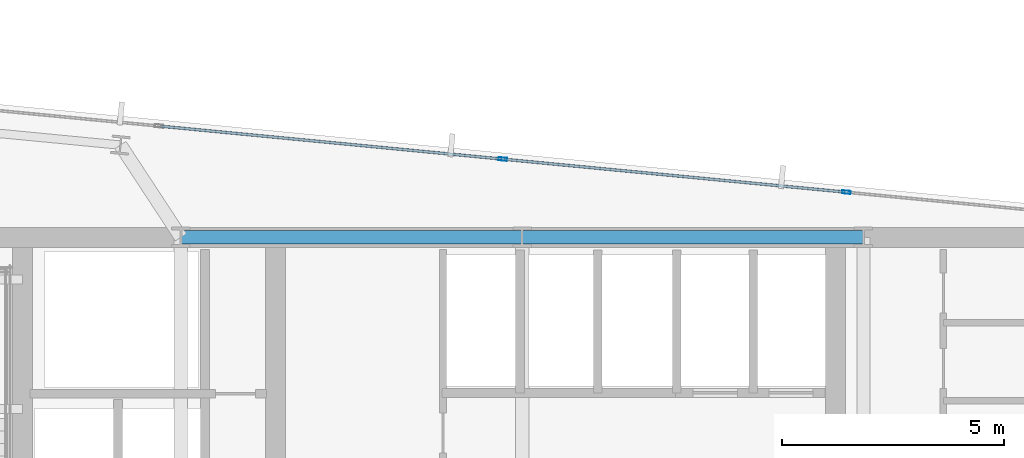
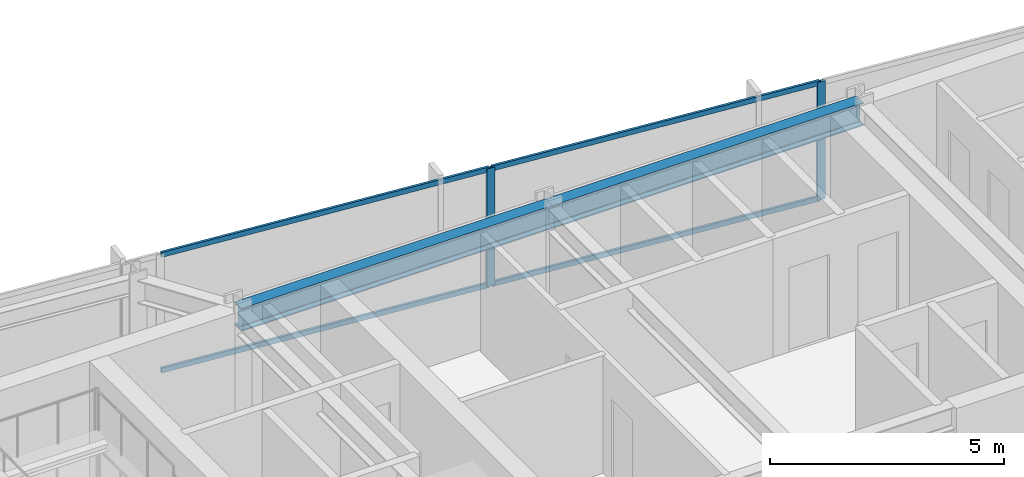
# One storey, part 26 of 38: 6 members, 2 beams, 1 element without a shape of its own.
"""IFC4 building model written with IfcOpenShell, lengths in metres."""

import ifcopenshell
import ifcopenshell.guid

model = None  # the IFC model being written
_history = None  # IfcOwnerHistory: only IFC2X3 demands one
_inside = {}  # id of a spatial element -> (the spatial element, [elements in it])
_under = {}  # id of a project, library or spatial element -> (it, [spatial elements below it])
_declared = {}  # id of a project -> (the project, [libraries it declares])
_typed = {}  # id of a type object -> (the type object, [elements of that type])
_made_of = {}  # id of a material, layer set ... -> (it, [elements and type objects made of it])


def new_model(schema):
    """Start an empty IFC model of exactly this schema.

    Asked for "IFC4X3", IfcOpenShell would pick the latest addendum, in which some entities
    have other attributes; the version numbers below select the first issue.
    IFC2X3 requires an IfcOwnerHistory on every rooted entity: one is made here for all.
    """
    global model, _history
    if schema == "IFC4X3":
        model = ifcopenshell.file(schema_version=(4, 3, 0, 0))
    else:
        model = ifcopenshell.file(schema=schema)
    _inside.clear()
    _under.clear()
    _declared.clear()
    _typed.clear()
    _made_of.clear()
    _history = None
    if model.schema == "IFC2X3":
        org = make("IfcOrganization", Name="unknown")
        user = make(
            "IfcPersonAndOrganization",
            ThePerson=make("IfcPerson", FamilyName="unknown"),
            TheOrganization=org,
        )
        app = make(
            "IfcApplication",
            ApplicationDeveloper=org,
            Version="unknown",
            ApplicationFullName="unknown",
            ApplicationIdentifier="unknown",
        )
        _history = make(
            "IfcOwnerHistory",
            OwningUser=user,
            OwningApplication=app,
            ChangeAction="ADDED",
            CreationDate=0,
        )
    return model


def make(cls, **values):
    """One entity of the class cls with the attributes given. An attribute that is None is left unset."""
    return model.create_entity(
        cls, **{name: value for name, value in values.items() if value is not None}
    )


def rooted(cls, **values):
    """An entity with a GlobalId (a new one), such as an element, a storey or a relation."""
    return make(cls, GlobalId=ifcopenshell.guid.new(), OwnerHistory=_history, **values)


def si_unit(unit_type, name, prefix=None):
    """IfcSIUnit, for example si_unit("LENGTHUNIT", "METRE", prefix="MILLI")."""
    return make("IfcSIUnit", UnitType=unit_type, Prefix=prefix, Name=name)


def assignment(units):
    """IfcUnitAssignment: the units of a project."""
    return None if units is None else make("IfcUnitAssignment", Units=units)


def point(xyz):
    """IfcCartesianPoint."""
    return None if xyz is None else make("IfcCartesianPoint", Coordinates=xyz)


def direction(xyz):
    """IfcDirection."""
    return None if xyz is None else make("IfcDirection", DirectionRatios=xyz)


def frame(location, z_axis=None, x_axis=None):
    """IfcAxis2Placement3D, a coordinate frame: its origin and axes. An axis left out is left unset."""
    return make(
        "IfcAxis2Placement3D",
        Location=point(location),
        Axis=direction(z_axis),
        RefDirection=direction(x_axis),
    )


def frame_2d(location, x_axis=None):
    """IfcAxis2Placement2D, a coordinate frame in the plane: its origin and x axis."""
    return make(
        "IfcAxis2Placement2D", Location=point(location), RefDirection=direction(x_axis)
    )


def origin():
    """The frame at (0, 0, 0) with its axes left unset."""
    return frame((0.0, 0.0, 0.0))


def origin_2d():
    """The frame at (0, 0) in the plane with its x axis left unset."""
    return frame_2d((0.0, 0.0))


def place(relative_to, where):
    """IfcLocalPlacement: puts the frame where relative to a parent placement (None: the world)."""
    return make(
        "IfcLocalPlacement", PlacementRelTo=relative_to, RelativePlacement=where
    )


def context(
    kind, dimensions, precision=None, world=None, true_north=None, identifier=None
):
    """IfcGeometricRepresentationContext, for example the 3D "Model" context."""
    return make(
        "IfcGeometricRepresentationContext",
        ContextIdentifier=identifier,
        ContextType=kind,
        CoordinateSpaceDimension=dimensions,
        Precision=precision,
        WorldCoordinateSystem=world,
        TrueNorth=true_north,
    )


def subcontext(parent, identifier, kind, view, scale=None):
    """IfcGeometricRepresentationSubContext, for example "Body" below "Model"."""
    return make(
        "IfcGeometricRepresentationSubContext",
        ContextIdentifier=identifier,
        ContextType=kind,
        ParentContext=parent,
        TargetScale=scale,
        TargetView=view,
    )


def project(units=None, contexts=None):
    """IfcProject with its units and contexts."""
    return rooted(
        "IfcProject",
        Name="project",
        RepresentationContexts=contexts,
        UnitsInContext=assignment(units),
    )


def spatial(cls, under=None, at=None, **own):
    """A site, building, storey or space (cls), placed at a placement, below another one or the project."""
    s = rooted(cls, ObjectPlacement=at, **own)
    if under is not None:
        _under.setdefault(under.id(), (under, []))[1].append(s)
    return s


def profile(cls, at=None, kind="AREA", **sizes):
    """A parametric profile (cls). Its sizes go by their IFC names, for example OverallWidth=200.0."""
    return make(cls, ProfileType=kind, Position=at, **sizes)


def hollow_rectangle(**sizes):
    """IfcRectangleHollowProfileDef."""
    return profile("IfcRectangleHollowProfileDef", **sizes)


def i_section(**sizes):
    """IfcIShapeProfileDef."""
    return profile("IfcIShapeProfileDef", **sizes)


def extrude(swept, where, along, depth):
    """IfcExtrudedAreaSolid: the profile swept, set in the frame where, extruded along a direction by depth."""
    return make(
        "IfcExtrudedAreaSolid",
        SweptArea=swept,
        Position=where,
        ExtrudedDirection=direction(along),
        Depth=depth,
    )


def shape(context_of_items, identifier, shape_type, items):
    """IfcShapeRepresentation: the items that make up one representation, for example the "Body"."""
    return make(
        "IfcShapeRepresentation",
        ContextOfItems=context_of_items,
        RepresentationIdentifier=identifier,
        RepresentationType=shape_type,
        Items=items,
    )


def material(Name=None, Category=None):
    """IfcMaterial."""
    return make("IfcMaterial", Name=Name, Category=Category)


def material_profile(
    of_material, cross_section, Name=None, Category=None, Priority=None
):
    """IfcMaterialProfile: a cross section and its material."""
    return make(
        "IfcMaterialProfile",
        Name=Name,
        Material=of_material,
        Profile=cross_section,
        Priority=Priority,
        Category=Category,
    )


def profile_set(profiles, Name=None, composite=None):
    """IfcMaterialProfileSet."""
    return make(
        "IfcMaterialProfileSet",
        Name=Name,
        MaterialProfiles=profiles,
        CompositeProfile=composite,
    )


def made_of(thing, what):
    """Note that an element or type object is made of a material, layer set ...; save() writes the relation."""
    if what is not None:
        _made_of.setdefault(what.id(), (what, []))[1].append(thing)
    return thing


def type_object(cls, material=None, **own):
    """A type object (cls), such as IfcWallType, which elements share."""
    return made_of(rooted(cls, **own), material)


def element(
    cls,
    number,
    at=None,
    inside=None,
    cuts=None,
    type_object=None,
    material=None,
    context=None,
    identifier="Body",
    shape_type=None,
    held_by="IfcProductDefinitionShape",
    body=None,
    shapes=None,
    **own,
):
    """One element of the class cls, such as IfcWall. Its Tag is "e" and its number.

    at: its placement. inside: the storey or other place that contains it. cuts: it is an
    opening in that element (IfcRelVoidsElement). A single representation is given by context,
    identifier, shape_type and body (its items); several are given by shapes. held_by: the class
    of the entity that holds the representations. save() writes the other relations.
    """
    e = rooted(cls, Tag="e%d" % number, ObjectPlacement=at, **own)
    if body is not None:
        shapes = [shape(context, identifier, shape_type, body)]
    if shapes is not None:
        e.Representation = make(held_by, Representations=shapes)
    if inside is not None:
        _inside.setdefault(inside.id(), (inside, []))[1].append(e)
    if cuts is not None:
        rooted(
            "IfcRelVoidsElement", RelatingBuildingElement=cuts, RelatedOpeningElement=e
        )
    if type_object is not None:
        _typed.setdefault(type_object.id(), (type_object, []))[1].append(e)
    return made_of(e, material)


def aggregate(whole, parts):
    """IfcRelAggregates: a whole, such as a stair, and the parts it consists of."""
    return rooted("IfcRelAggregates", RelatingObject=whole, RelatedObjects=parts)


def save(model, path):
    """Write the relations noted so far, then the file.

    IfcRelAggregates (storeys below a building ...), IfcRelContainedInSpatialStructure (elements
    in a storey), IfcRelDefinesByType, IfcRelAssociatesMaterial and IfcRelDeclares: one each for
    every whole, place, type object, material and project.
    """
    for whole, parts in _under.values():
        aggregate(whole, parts)
    for where, things in _inside.values():
        rooted(
            "IfcRelContainedInSpatialStructure",
            RelatedElements=things,
            RelatingStructure=where,
        )
    for kind, things in _typed.values():
        rooted("IfcRelDefinesByType", RelatedObjects=things, RelatingType=kind)
    for what, things in _made_of.values():
        rooted("IfcRelAssociatesMaterial", RelatedObjects=things, RelatingMaterial=what)
    for by, libraries in _declared.values():
        rooted("IfcRelDeclares", RelatingContext=by, RelatedDefinitions=libraries)
    model.write(path)


model = new_model("IFC4")

# Units and contexts
model_context = context("Model", 3, precision=1e-05, world=origin(), true_north=direction((0.0, 1.0)))
body_context = subcontext(model_context, "Body", "Model", "MODEL_VIEW")
ifc_project = project(units=[si_unit("LENGTHUNIT", "METRE"), si_unit("AREAUNIT", "SQUARE_METRE"), si_unit("VOLUMEUNIT", "CUBIC_METRE"), si_unit("PLANEANGLEUNIT", "RADIAN"), si_unit("MASSUNIT", "GRAM", prefix="KILO")], contexts=[model_context])

# Site, building, storey
site_placement = place(None, origin())
site = spatial("IfcSite", under=ifc_project, at=site_placement, CompositionType="ELEMENT")
building_placement = place(site_placement, origin())
building = spatial("IfcBuilding", under=site, at=building_placement, Name="Yelkora Congress Tower", CompositionType="ELEMENT")
storey_placement = place(building_placement, frame((0.0, 0.0, 178.699951171875)))
storey = spatial("IfcBuildingStorey", under=building, at=storey_placement, Name="L49", CompositionType="ELEMENT", Elevation=178.699951171875)

# Beams
ifc_material_1 = material(Name="Steel S355J2", Category="steel")
ifc_material_profile_1 = material_profile(ifc_material_1, i_section(OverallWidth=0.300048828125, OverallDepth=0.60009765625, WebThickness=0.015380859375, FlangeThickness=0.030029296875, FilletRadius=0.027099609375, at=origin_2d()), Name="HEB 600")
ifc_profile_set_1 = profile_set([ifc_material_profile_1], Name="Steel S355J2")
beam_type = type_object("IfcBeamType", Name="BM-GIRD-HEB600", PredefinedType="BEAM", material=ifc_profile_set_1)
beam_1_placement = place(storey_placement, frame((30.719970703125, 46.199951171875, 2.780029296875), z_axis=(1.0, 0.0, 0.0), x_axis=(0.0, 1.0, 0.0)))
element("IfcBeam", 1, at=beam_1_placement, inside=storey, type_object=beam_type, Name="L49 Core North Girder 3", PredefinedType="BEAM", context=body_context, shape_type="SweptSolid", body=[
    extrude(i_section(OverallWidth=0.300048828125, OverallDepth=0.60009765625, WebThickness=0.015380859375, FlangeThickness=0.030029296875, FilletRadius=0.027099609375, at=origin_2d()), origin(), (0.0, 0.0, 1.0), 7.679931640625),
])
beam_2_placement = place(storey_placement, frame((38.39990234375, 46.199951171875, 2.780029296875), z_axis=(1.0, 0.0, 0.0), x_axis=(0.0, 1.0, 0.0)))
element("IfcBeam", 2, at=beam_2_placement, inside=storey, type_object=beam_type, Name="L49 Core North Girder 4", PredefinedType="BEAM", context=body_context, shape_type="SweptSolid", body=[
    extrude(i_section(OverallWidth=0.300048828125, OverallDepth=0.60009765625, WebThickness=0.015380859375, FlangeThickness=0.030029296875, FilletRadius=0.027099609375, at=origin_2d()), origin(), (0.0, 0.0, 1.0), 7.68017578125),
])

# Curtain wall, members
ifc_material_2 = material(Name="Anodised aluminium and insulated glass", Category="aluminium")
curtain_wall_type = type_object("IfcCurtainWallType", Name="CW-SYS-B3", PredefinedType="NOTDEFINED", material=ifc_material_2)
curtain_wall_placement = place(storey_placement, origin())
curtain_wall = element("IfcCurtainWall", 3, at=curtain_wall_placement, inside=storey, type_object=curtain_wall_type, Name="L49 Unitised Curtain Wall 10 (1)", PredefinedType="NOTDEFINED")
ifc_material_3 = material(Name="Anodised aluminium 6063-T6", Category="aluminium")
ifc_material_profile_2 = material_profile(ifc_material_3, hollow_rectangle(XDim=0.070068359375, YDim=0.18994140625, WallThickness=0.00390625, at=origin_2d()), Name="ALU 70x190x4")
ifc_profile_set_2 = profile_set([ifc_material_profile_2], Name="Anodised aluminium 6063-T6")
member_type_1 = type_object("IfcMemberType", Name="MEM-ML-B3", PredefinedType="MULLION", material=ifc_profile_set_2)
member_1_placement = place(storey_placement, frame((37.9638671875, 47.958984375, 0.0), z_axis=(0.0, 0.0, 1.0), x_axis=(0.095844761168, 0.995396293823, 0.0)))
member_1 = element("IfcMember", 4, at=member_1_placement, type_object=member_type_1, Name="CW-B3 mullion 5", PredefinedType="MULLION", context=body_context, shape_type="SweptSolid", body=[
    extrude(hollow_rectangle(XDim=0.070068359375, YDim=0.18994140625, WallThickness=0.00390625, at=origin_2d()), origin(), (0.0, 0.0, 1.0), 3.080078125),
])
member_2_placement = place(storey_placement, frame((45.697509765625, 47.21435546875, 0.0), z_axis=(0.0, 0.0, 1.0), x_axis=(0.095844761168, 0.995396293823, 0.0)))
member_2 = element("IfcMember", 5, at=member_2_placement, type_object=member_type_1, Name="CW-B3 mullion 6", PredefinedType="MULLION", context=body_context, shape_type="SweptSolid", body=[
    extrude(hollow_rectangle(XDim=0.070068359375, YDim=0.18994140625, WallThickness=0.00390625, at=origin_2d()), origin(), (0.0, 0.0, 1.0), 3.080078125),
])
ifc_material_profile_3 = material_profile(ifc_material_3, hollow_rectangle(XDim=0.06005859375, YDim=0.1298828125, WallThickness=0.00390625, at=origin_2d()), Name="ALU 60x130x4")
ifc_profile_set_3 = profile_set([ifc_material_profile_3], Name="Anodised aluminium 6063-T6")
member_type_2 = type_object("IfcMemberType", Name="MEM-TR-B3", PredefinedType="USERDEFINED", material=ifc_profile_set_3)
member_3_placement = place(storey_placement, frame((30.26513671875, 48.7001953125, 0.030029296875), z_axis=(0.995398042106, -0.095826602633, 0.0), x_axis=(0.095826602633, 0.995398042106, 0.0)))
member_3 = element("IfcMember", 6, at=member_3_placement, type_object=member_type_2, Name="CW-B3 transom 4.1", ObjectType="TRANSOM", PredefinedType="USERDEFINED", context=body_context, shape_type="SweptSolid", body=[
    extrude(hollow_rectangle(XDim=0.06005859375, YDim=0.1298828125, WallThickness=0.00390625, at=origin_2d()), origin(), (0.0, 0.0, 1.0), 7.69921875),
])
member_4_placement = place(storey_placement, frame((30.26513671875, 48.7001953125, 3.050048828125), z_axis=(0.995398042106, -0.095826602633, 0.0), x_axis=(0.095826602633, 0.995398042106, 0.0)))
member_4 = element("IfcMember", 7, at=member_4_placement, type_object=member_type_2, Name="CW-B3 transom 4.2", ObjectType="TRANSOM", PredefinedType="USERDEFINED", context=body_context, shape_type="SweptSolid", body=[
    extrude(hollow_rectangle(XDim=0.06005859375, YDim=0.1298828125, WallThickness=0.00390625, at=origin_2d()), origin(), (0.0, 0.0, 1.0), 7.69921875),
])
member_5_placement = place(storey_placement, frame((37.998779296875, 47.95556640625, 0.030029296875), z_axis=(0.995398042106, -0.095826602633, 0.0), x_axis=(0.095826602633, 0.995398042106, 0.0)))
member_5 = element("IfcMember", 8, at=member_5_placement, type_object=member_type_2, Name="CW-B3 transom 5.1", ObjectType="TRANSOM", PredefinedType="USERDEFINED", context=body_context, shape_type="SweptSolid", body=[
    extrude(hollow_rectangle(XDim=0.06005859375, YDim=0.1298828125, WallThickness=0.00390625, at=origin_2d()), origin(), (0.0, 0.0, 1.0), 7.69921875),
])
member_6_placement = place(storey_placement, frame((37.998779296875, 47.95556640625, 3.050048828125), z_axis=(0.995398042106, -0.095826602633, 0.0), x_axis=(0.095826602633, 0.995398042106, 0.0)))
member_6 = element("IfcMember", 9, at=member_6_placement, type_object=member_type_2, Name="CW-B3 transom 5.2", ObjectType="TRANSOM", PredefinedType="USERDEFINED", context=body_context, shape_type="SweptSolid", body=[
    extrude(hollow_rectangle(XDim=0.06005859375, YDim=0.1298828125, WallThickness=0.00390625, at=origin_2d()), origin(), (0.0, 0.0, 1.0), 7.69921875),
])
aggregate(curtain_wall, [member_1, member_2, member_3, member_4, member_5, member_6])

save(model, "model.ifc")
